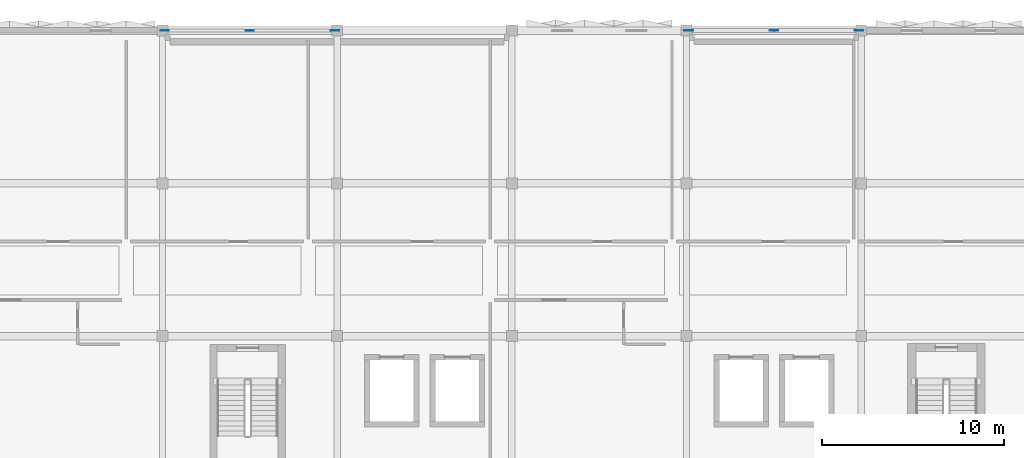
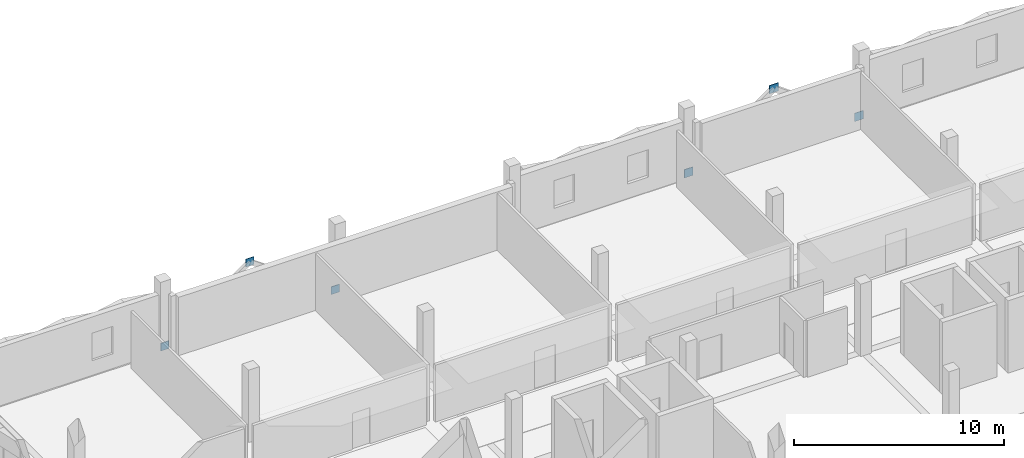
# One storey, part 6 of 18: 6 plates.
"""IFC4 building model written with IfcOpenShell, lengths in metres."""

from ifc_helpers import new_model, si_unit, direction, frame, origin, origin_2d, place, context, subcontext, project, spatial, rectangle, extrude, material, layer, layer_set, type_object, element, save


model = new_model("IFC4")

# Units and contexts
model_context = context("Model", 3, precision=1e-05, world=origin(), true_north=direction((0.0, 1.0)))
body_context = subcontext(model_context, "Body", "Model", "MODEL_VIEW")
ifc_project = project(units=[si_unit("LENGTHUNIT", "METRE"), si_unit("AREAUNIT", "SQUARE_METRE"), si_unit("VOLUMEUNIT", "CUBIC_METRE"), si_unit("PLANEANGLEUNIT", "RADIAN"), si_unit("MASSUNIT", "GRAM", prefix="KILO")], contexts=[model_context])

# Site, building, storey
site_placement = place(None, origin())
site = spatial("IfcSite", under=ifc_project, at=site_placement, CompositionType="ELEMENT")
building_placement = place(site_placement, origin())
building = spatial("IfcBuilding", under=site, at=building_placement, Name="Oolite Switchyard Hospital", CompositionType="ELEMENT")
storey_placement = place(building_placement, frame((0.0, 0.0, 26.199951171875)))
storey = spatial("IfcBuildingStorey", under=building, at=storey_placement, Name="L06", CompositionType="ELEMENT", Elevation=26.199951171875)

# Plates
ifc_material = material(Name="Steel ASTM A572 Grade 50", Category="steel")
ifc_layer_1 = layer(ifc_material, 0.030029296875)
ifc_layer_set_1 = layer_set([ifc_layer_1], Name="PLT-GUS-450")
plate_type_1 = type_object("IfcPlateType", Name="PLT-GUS-450", PredefinedType="SHEET", material=ifc_layer_set_1)
for number, where, z_axis, x_axis, name in (
    (1, (153.719970703125, 134.39990234375, -0.02490234375), (0.0, 0.0, 1.0), (1.0, 0.0, 0.0), "L06 Brace Base Gusset Plate 61"),
    (2, (163.080078125, 134.39990234375, -0.02490234375), (0.0, 0.0, 1.0), (1.0, 0.0, 0.0), "L06 Brace Base Gusset Plate 62"),
    (3, (158.39990234375, 134.39990234375, 3.22509765625), (0.0, 0.0, 1.0), (1.0, 0.0, 0.0), "L06 Gusset Connection Plate 63"),
):
    element("IfcPlate", number, at=place(storey_placement, frame(where, z_axis=z_axis, x_axis=x_axis)), inside=storey, type_object=plate_type_1, Name=name, PredefinedType="SHEET", context=body_context, shape_type="SweptSolid", body=[
        extrude(rectangle(XDim=0.449951171875, YDim=0.030029296875, at=origin_2d()), origin(), (0.0, 0.0, 1.0), 0.449951171875),
    ])
ifc_layer_2 = layer(ifc_material, 0.031982421875)
ifc_layer_set_2 = layer_set([ifc_layer_2], Name="PLT-GUS-480")
plate_type_2 = type_object("IfcPlateType", Name="PLT-GUS-480", PredefinedType="SHEET", material=ifc_layer_set_2)
for number, where, z_axis, x_axis, name in (
    (4, (182.52001953125, 134.39990234375, -0.0400390625), (0.0, 0.0, 1.0), (1.0, 0.0, 0.0), "L06 Brace Base Gusset Plate 85"),
    (5, (191.8798828125, 134.39990234375, -0.0400390625), (0.0, 0.0, 1.0), (1.0, 0.0, 0.0), "L06 Brace Base Gusset Plate 86"),
    (6, (187.199951171875, 134.39990234375, 3.2099609375), (0.0, 0.0, 1.0), (1.0, 0.0, 0.0), "L06 Gusset Connection Plate 87"),
):
    element("IfcPlate", number, at=place(storey_placement, frame(where, z_axis=z_axis, x_axis=x_axis)), inside=storey, type_object=plate_type_2, Name=name, PredefinedType="SHEET", context=body_context, shape_type="SweptSolid", body=[
        extrude(rectangle(XDim=0.47998046875, YDim=0.031982421875, at=origin_2d()), origin(), (0.0, 0.0, 1.0), 0.47998046875),
    ])

save(model, "model.ifc")
